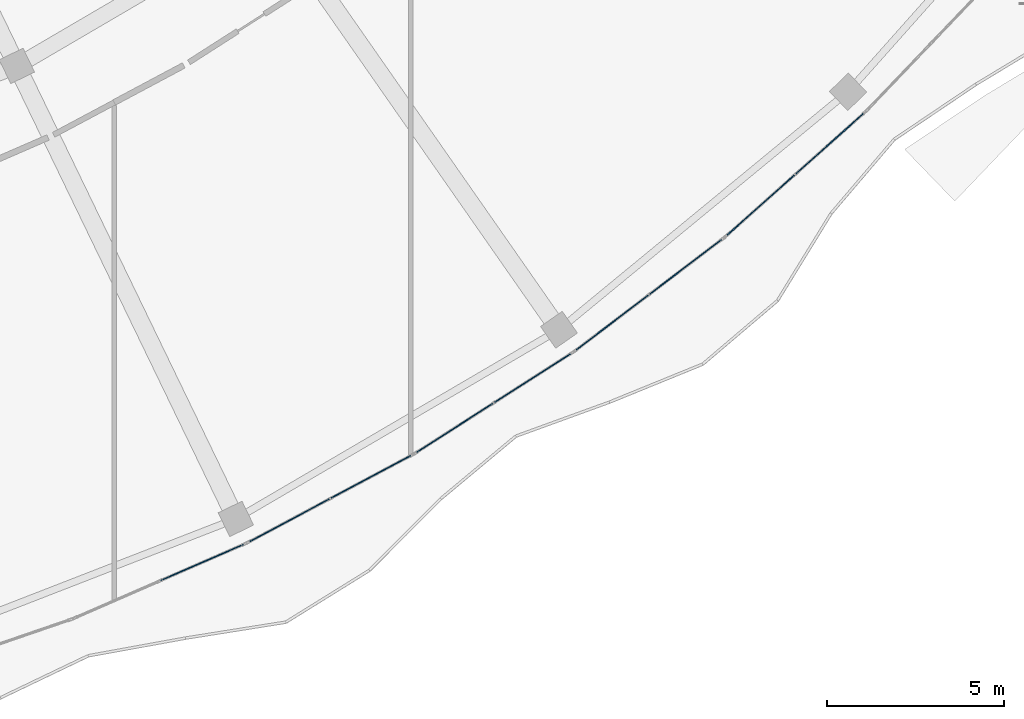
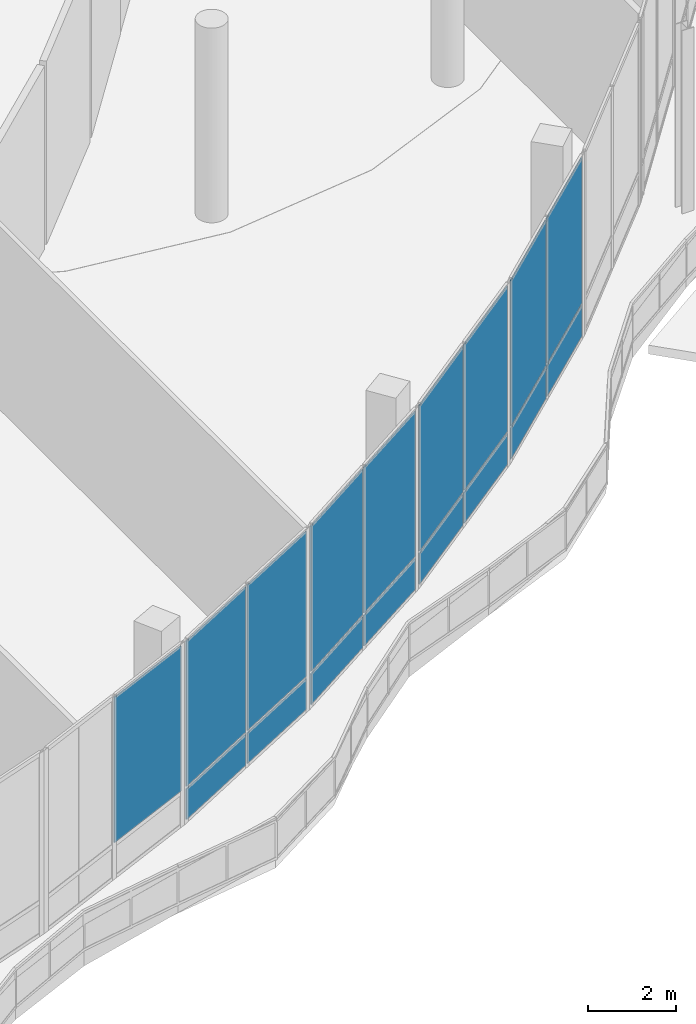
# One storey, part 122 of 158: 17 plates, 5 elements without a shape of their own.
"""IFC4 building model written with IfcOpenShell, lengths in metres."""

from ifc_helpers import new_model, si_unit, direction, frame, origin, origin_2d, place, context, subcontext, project, spatial, rectangle, extrude, material, layer, layer_set, type_object, element, aggregate, save


model = new_model("IFC4")

# Units and contexts
model_context = context("Model", 3, precision=1e-05, world=origin(), true_north=direction((0.0, 1.0)))
body_context = subcontext(model_context, "Body", "Model", "MODEL_VIEW")
ifc_project = project(units=[si_unit("LENGTHUNIT", "METRE"), si_unit("AREAUNIT", "SQUARE_METRE"), si_unit("VOLUMEUNIT", "CUBIC_METRE"), si_unit("PLANEANGLEUNIT", "RADIAN"), si_unit("MASSUNIT", "GRAM", prefix="KILO")], contexts=[model_context])

# Site, building, storey
site_placement = place(None, origin())
site = spatial("IfcSite", under=ifc_project, at=site_placement, CompositionType="ELEMENT")
building_placement = place(site_placement, origin())
building = spatial("IfcBuilding", under=site, at=building_placement, Name="Selatvlak General Hospital", CompositionType="ELEMENT")
storey_placement = place(building_placement, origin())
storey = spatial("IfcBuildingStorey", under=building, at=storey_placement, Name="L00", CompositionType="ELEMENT", Elevation=0.0)

# Curtain wall, plates
ifc_material = material(Name="Solar-control Low-E double glazing", Category="glass")
curtain_wall_type_1 = type_object("IfcCurtainWallType", Name="CW-CW-01", PredefinedType="USERDEFINED", material=ifc_material)
curtain_wall_1_placement = place(storey_placement, origin())
curtain_wall_1 = element("IfcCurtainWall", 1, at=curtain_wall_1_placement, inside=storey, type_object=curtain_wall_type_1, Name="Glazed facade curtain wall CW-L00-0045", ObjectType="UNITISED CURTAIN WALL", PredefinedType="USERDEFINED")
ifc_layer = layer(ifc_material, 0.028076171875, Name="Solar-control Low-E double glazing", Category="glass")
ifc_layer_set = layer_set([ifc_layer], Name="Solar-control Low-E double glazing")
plate_type = type_object("IfcPlateType", Name="CWP-01", PredefinedType="CURTAIN_PANEL", material=ifc_layer_set)
plate_1_placement = place(storey_placement, frame((101.858642578125, 30.025634765625, 0.06494140625), z_axis=(0.0, 0.0, 1.0), x_axis=(-0.746343691417, -0.665560736735, 0.0)))
plate_1 = element("IfcPlate", 2, at=plate_1_placement, type_object=plate_type, Name="CW-01 panel 1.1", PredefinedType="CURTAIN_PANEL", context=body_context, shape_type="SweptSolid", body=[
    extrude(rectangle(XDim=2.54541015625, YDim=0.028076171875, at=origin_2d()), origin(), (0.0, 0.0, 1.0), 0.8525390625),
])
plate_2_placement = place(storey_placement, frame((101.858642578125, 30.025634765625, 0.982421875), z_axis=(0.0, 0.0, 1.0), x_axis=(-0.746343691417, -0.665560736735, 0.0)))
plate_2 = element("IfcPlate", 3, at=plate_2_placement, type_object=plate_type, Name="CW-01 panel 1.2", PredefinedType="CURTAIN_PANEL", context=body_context, shape_type="SweptSolid", body=[
    extrude(rectangle(XDim=2.54541015625, YDim=0.028076171875, at=origin_2d()), origin(), (0.0, 0.0, 1.0), 4.032470703125),
])
plate_3_placement = place(storey_placement, frame((99.910400390625, 28.288330078125, 0.06494140625), z_axis=(0.0, 0.0, 1.0), x_axis=(-0.746343691417, -0.665560736735, 0.0)))
plate_3 = element("IfcPlate", 4, at=plate_3_placement, type_object=plate_type, Name="CW-01 panel 2.1", PredefinedType="CURTAIN_PANEL", context=body_context, shape_type="SweptSolid", body=[
    extrude(rectangle(XDim=2.54541015625, YDim=0.028076171875, at=origin_2d()), origin(), (0.0, 0.0, 1.0), 0.8525390625),
])
plate_4_placement = place(storey_placement, frame((99.910400390625, 28.288330078125, 0.982421875), z_axis=(0.0, 0.0, 1.0), x_axis=(-0.746343691417, -0.665560736735, 0.0)))
plate_4 = element("IfcPlate", 5, at=plate_4_placement, type_object=plate_type, Name="CW-01 panel 2.2", PredefinedType="CURTAIN_PANEL", context=body_context, shape_type="SweptSolid", body=[
    extrude(rectangle(XDim=2.54541015625, YDim=0.028076171875, at=origin_2d()), origin(), (0.0, 0.0, 1.0), 4.032470703125),
])
aggregate(curtain_wall_1, [plate_1, plate_2, plate_3, plate_4])

curtain_wall_type_2 = type_object("IfcCurtainWallType", Name="CW-CW-02", PredefinedType="USERDEFINED", material=ifc_material)
curtain_wall_2_placement = place(storey_placement, origin())
curtain_wall_2 = element("IfcCurtainWall", 6, at=curtain_wall_2_placement, inside=storey, type_object=curtain_wall_type_2, Name="Glazed facade curtain wall CW-L00-0046", ObjectType="UNITISED CURTAIN WALL", PredefinedType="USERDEFINED")
plate_5_placement = place(storey_placement, frame((97.782958984375, 26.5400390625, 0.06494140625), z_axis=(0.0, 0.0, 1.0), x_axis=(-0.796537386874, -0.60458927489, 0.0)))
plate_5 = element("IfcPlate", 7, at=plate_5_placement, type_object=plate_type, Name="CW-02 panel 1.1", PredefinedType="CURTAIN_PANEL", context=body_context, shape_type="SweptSolid", body=[
    extrude(rectangle(XDim=2.54638671875, YDim=0.028076171875, at=origin_2d()), origin(), (0.0, 0.0, 1.0), 0.8525390625),
])
plate_6_placement = place(storey_placement, frame((97.782958984375, 26.5400390625, 0.982421875), z_axis=(0.0, 0.0, 1.0), x_axis=(-0.796537386874, -0.60458927489, 0.0)))
plate_6 = element("IfcPlate", 8, at=plate_6_placement, type_object=plate_type, Name="CW-02 panel 1.2", PredefinedType="CURTAIN_PANEL", context=body_context, shape_type="SweptSolid", body=[
    extrude(rectangle(XDim=2.54638671875, YDim=0.028076171875, at=origin_2d()), origin(), (0.0, 0.0, 1.0), 4.032470703125),
])
plate_7_placement = place(storey_placement, frame((95.702880859375, 24.961181640625, 0.06494140625), z_axis=(0.0, 0.0, 1.0), x_axis=(-0.796537386874, -0.60458927489, 0.0)))
plate_7 = element("IfcPlate", 9, at=plate_7_placement, type_object=plate_type, Name="CW-02 panel 2.1", PredefinedType="CURTAIN_PANEL", context=body_context, shape_type="SweptSolid", body=[
    extrude(rectangle(XDim=2.54638671875, YDim=0.028076171875, at=origin_2d()), origin(), (0.0, 0.0, 1.0), 0.8525390625),
])
plate_8_placement = place(storey_placement, frame((95.702880859375, 24.961181640625, 0.982421875), z_axis=(0.0, 0.0, 1.0), x_axis=(-0.796537386874, -0.60458927489, 0.0)))
plate_8 = element("IfcPlate", 10, at=plate_8_placement, type_object=plate_type, Name="CW-02 panel 2.2", PredefinedType="CURTAIN_PANEL", context=body_context, shape_type="SweptSolid", body=[
    extrude(rectangle(XDim=2.54638671875, YDim=0.028076171875, at=origin_2d()), origin(), (0.0, 0.0, 1.0), 4.032470703125),
])
aggregate(curtain_wall_2, [plate_5, plate_6, plate_7, plate_8])

curtain_wall_3_placement = place(storey_placement, origin())
curtain_wall_3 = element("IfcCurtainWall", 11, at=curtain_wall_3_placement, inside=storey, type_object=curtain_wall_type_1, Name="Glazed facade curtain wall CW-L00-0047", ObjectType="UNITISED CURTAIN WALL", PredefinedType="USERDEFINED")
plate_9_placement = place(storey_placement, frame((93.443115234375, 23.38671875, 0.06494140625), z_axis=(0.0, 0.0, 1.0), x_axis=(-0.842264530381, -0.539064431086, 0.0)))
plate_9 = element("IfcPlate", 12, at=plate_9_placement, type_object=plate_type, Name="CW-01 panel 1.1", PredefinedType="CURTAIN_PANEL", context=body_context, shape_type="SweptSolid", body=[
    extrude(rectangle(XDim=2.5458984375, YDim=0.028076171875, at=origin_2d()), origin(), (0.0, 0.0, 1.0), 0.8525390625),
])
plate_10_placement = place(storey_placement, frame((93.443115234375, 23.38671875, 0.982421875), z_axis=(0.0, 0.0, 1.0), x_axis=(-0.842264530381, -0.539064431086, 0.0)))
plate_10 = element("IfcPlate", 13, at=plate_10_placement, type_object=plate_type, Name="CW-01 panel 1.2", PredefinedType="CURTAIN_PANEL", context=body_context, shape_type="SweptSolid", body=[
    extrude(rectangle(XDim=2.5458984375, YDim=0.028076171875, at=origin_2d()), origin(), (0.0, 0.0, 1.0), 4.032470703125),
])
plate_11_placement = place(storey_placement, frame((91.243896484375, 21.979248046875, 0.06494140625), z_axis=(0.0, 0.0, 1.0), x_axis=(-0.842264530381, -0.539064431086, 0.0)))
plate_11 = element("IfcPlate", 14, at=plate_11_placement, type_object=plate_type, Name="CW-01 panel 2.1", PredefinedType="CURTAIN_PANEL", context=body_context, shape_type="SweptSolid", body=[
    extrude(rectangle(XDim=2.5458984375, YDim=0.028076171875, at=origin_2d()), origin(), (0.0, 0.0, 1.0), 0.8525390625),
])
plate_12_placement = place(storey_placement, frame((91.243896484375, 21.979248046875, 0.982421875), z_axis=(0.0, 0.0, 1.0), x_axis=(-0.842264530381, -0.539064431086, 0.0)))
plate_12 = element("IfcPlate", 15, at=plate_12_placement, type_object=plate_type, Name="CW-01 panel 2.2", PredefinedType="CURTAIN_PANEL", context=body_context, shape_type="SweptSolid", body=[
    extrude(rectangle(XDim=2.5458984375, YDim=0.028076171875, at=origin_2d()), origin(), (0.0, 0.0, 1.0), 4.032470703125),
])
aggregate(curtain_wall_3, [plate_9, plate_10, plate_11, plate_12])

curtain_wall_4_placement = place(storey_placement, origin())
curtain_wall_4 = element("IfcCurtainWall", 16, at=curtain_wall_4_placement, inside=storey, type_object=curtain_wall_type_2, Name="Glazed facade curtain wall CW-L00-0048", ObjectType="UNITISED CURTAIN WALL", PredefinedType="USERDEFINED")
plate_13_placement = place(storey_placement, frame((88.866943359375, 20.58984375, 0.06494140625), z_axis=(0.0, 0.0, 1.0), x_axis=(-0.882426269162, -0.470450719515, 0.0)))
plate_13 = element("IfcPlate", 17, at=plate_13_placement, type_object=plate_type, Name="CW-02 panel 1.1", PredefinedType="CURTAIN_PANEL", context=body_context, shape_type="SweptSolid", body=[
    extrude(rectangle(XDim=2.544677734375, YDim=0.028076171875, at=origin_2d()), origin(), (0.0, 0.0, 1.0), 0.8525390625),
])
plate_14_placement = place(storey_placement, frame((88.866943359375, 20.58984375, 0.982421875), z_axis=(0.0, 0.0, 1.0), x_axis=(-0.882426269162, -0.470450719515, 0.0)))
plate_14 = element("IfcPlate", 18, at=plate_14_placement, type_object=plate_type, Name="CW-02 panel 1.2", PredefinedType="CURTAIN_PANEL", context=body_context, shape_type="SweptSolid", body=[
    extrude(rectangle(XDim=2.544677734375, YDim=0.028076171875, at=origin_2d()), origin(), (0.0, 0.0, 1.0), 4.032470703125),
])
plate_15_placement = place(storey_placement, frame((86.564208984375, 19.362060546875, 0.06494140625), z_axis=(0.0, 0.0, 1.0), x_axis=(-0.882426269162, -0.470450719515, 0.0)))
plate_15 = element("IfcPlate", 19, at=plate_15_placement, type_object=plate_type, Name="CW-02 panel 2.1", PredefinedType="CURTAIN_PANEL", context=body_context, shape_type="SweptSolid", body=[
    extrude(rectangle(XDim=2.544677734375, YDim=0.028076171875, at=origin_2d()), origin(), (0.0, 0.0, 1.0), 0.8525390625),
])
plate_16_placement = place(storey_placement, frame((86.564208984375, 19.362060546875, 0.982421875), z_axis=(0.0, 0.0, 1.0), x_axis=(-0.882426269162, -0.470450719515, 0.0)))
plate_16 = element("IfcPlate", 20, at=plate_16_placement, type_object=plate_type, Name="CW-02 panel 2.2", PredefinedType="CURTAIN_PANEL", context=body_context, shape_type="SweptSolid", body=[
    extrude(rectangle(XDim=2.544677734375, YDim=0.028076171875, at=origin_2d()), origin(), (0.0, 0.0, 1.0), 4.032470703125),
])
aggregate(curtain_wall_4, [plate_13, plate_14, plate_15, plate_16])

# Curtain wall, plate
curtain_wall_5_placement = place(storey_placement, origin())
curtain_wall_5 = element("IfcCurtainWall", 21, at=curtain_wall_5_placement, inside=storey, type_object=curtain_wall_type_1, Name="Glazed facade curtain wall CW-L00-0049", ObjectType="UNITISED CURTAIN WALL", PredefinedType="USERDEFINED")
plate_17_placement = place(storey_placement, frame((84.083984375, 18.16552734375, 0.982421875), z_axis=(0.0, 0.0, 1.0), x_axis=(-0.916781197822, -0.399389828763, 0.0)))
plate_17 = element("IfcPlate", 22, at=plate_17_placement, type_object=plate_type, Name="CW-01 panel 1.2", PredefinedType="CURTAIN_PANEL", context=body_context, shape_type="SweptSolid", body=[
    extrude(rectangle(XDim=2.546630859375, YDim=0.028076171875, at=origin_2d()), origin(), (0.0, 0.0, 1.0), 4.032470703125),
])
aggregate(curtain_wall_5, [plate_17])

save(model, "model.ifc")
